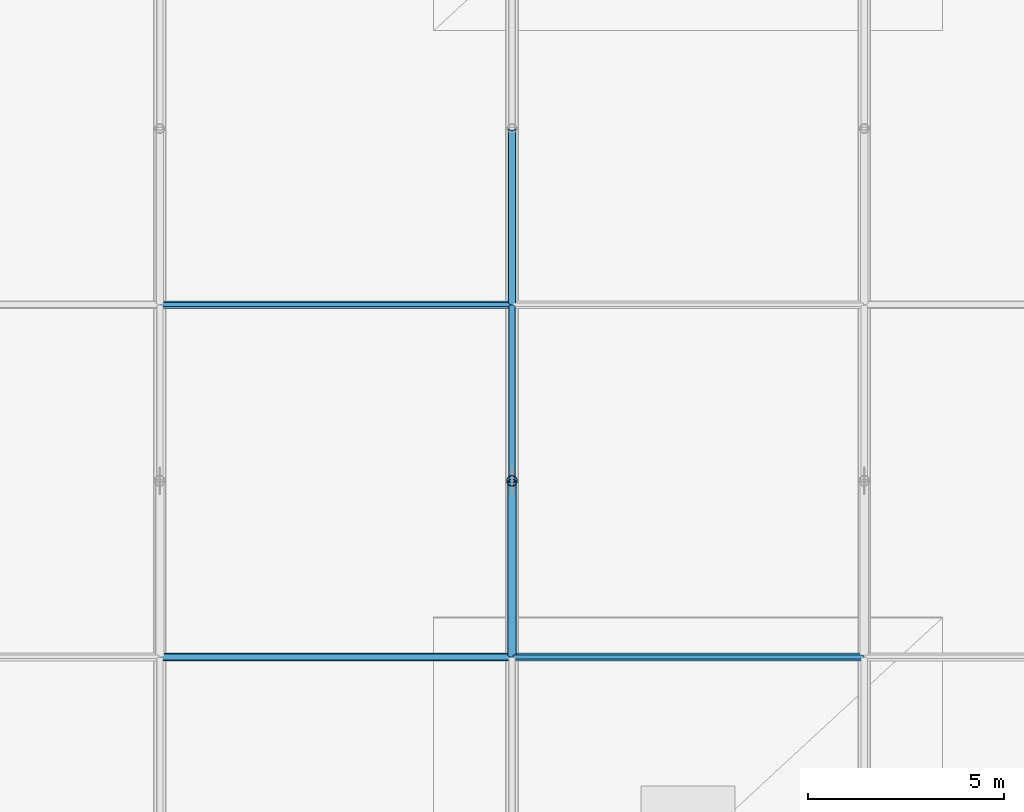
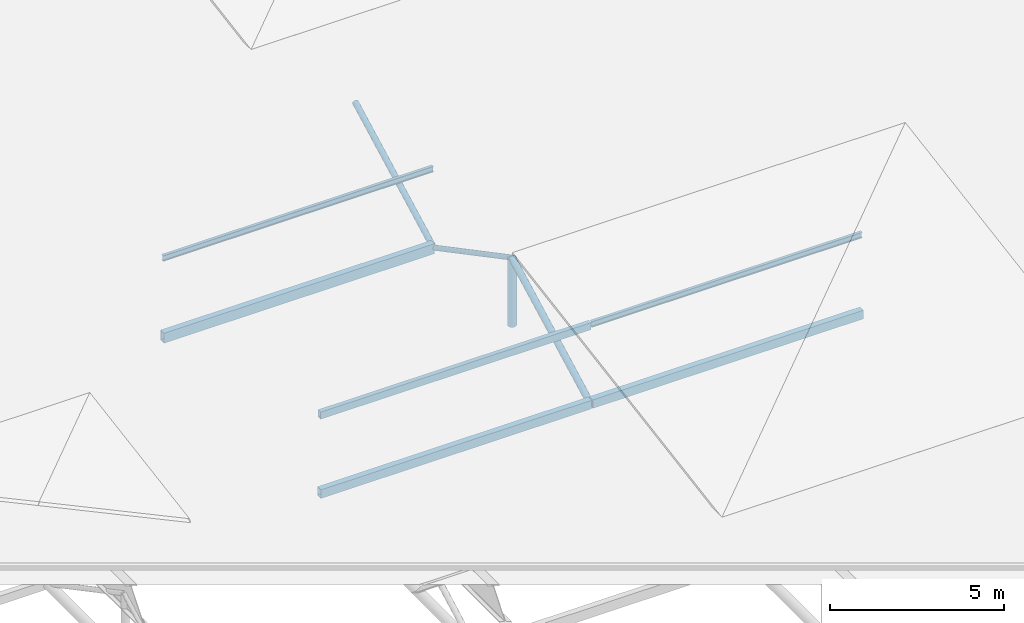
# One storey, part 74 of 196: 10 members.
"""IFC4 building model written with IfcOpenShell, lengths in metres."""

from ifc_helpers import new_model, si_unit, direction, frame, origin, origin_2d, place, context, subcontext, project, spatial, hollow_rectangle, hollow_circle, i_section, extrude, material, material_profile, profile_set, type_object, element, save


model = new_model("IFC4")

# Units and contexts
model_context = context("Model", 3, precision=1e-05, world=origin(), true_north=direction((0.0, 1.0)))
body_context = subcontext(model_context, "Body", "Model", "MODEL_VIEW")
ifc_project = project(units=[si_unit("LENGTHUNIT", "METRE"), si_unit("AREAUNIT", "SQUARE_METRE"), si_unit("VOLUMEUNIT", "CUBIC_METRE"), si_unit("PLANEANGLEUNIT", "RADIAN"), si_unit("MASSUNIT", "GRAM", prefix="KILO")], contexts=[model_context])

# Site, building, storey
site_placement = place(None, origin())
site = spatial("IfcSite", under=ifc_project, at=site_placement, CompositionType="ELEMENT")
building_placement = place(site_placement, origin())
building = spatial("IfcBuilding", under=site, at=building_placement, Name="Barlavento Convention Centre", CompositionType="ELEMENT")
storey_placement = place(building_placement, frame((0.0, 0.0, 18.0)))
storey = spatial("IfcBuildingStorey", under=building, at=storey_placement, Name="L03", CompositionType="ELEMENT", Elevation=18.0)

# Members
ifc_material = material(Name="Steel S355", Category="steel")
ifc_material_profile_1 = material_profile(ifc_material, hollow_rectangle(XDim=0.199951171875, YDim=0.300048828125, WallThickness=0.012451171875, at=origin_2d()), Name="RHS 300x200x12.5")
ifc_profile_set_1 = profile_set([ifc_material_profile_1], Name="Steel S355")
member_type_1 = type_object("IfcMemberType", Name="STR-MEM-COL-RHS300", PredefinedType="COLLAR", material=ifc_profile_set_1)
for number, where, z_axis, x_axis, name in (
    (1, (63.02001953125, 81.0, -3.199951171875), (1.0, 0.0, 0.0), (0.0, 1.0, 0.0), "Exhibition space frame transverse chord"),
    (2, (72.02001953125, 81.0, -3.199951171875), (1.0, 0.0, 0.0), (0.0, 1.0, 0.0), "Exhibition space frame transverse chord"),
):
    element("IfcMember", number, at=place(storey_placement, frame(where, z_axis=z_axis, x_axis=x_axis)), inside=storey, type_object=member_type_1, Name=name, PredefinedType="COLLAR", context=body_context, shape_type="SweptSolid", body=[
        extrude(hollow_rectangle(XDim=0.199951171875, YDim=0.300048828125, WallThickness=0.012451171875, at=origin_2d()), origin(), (0.0, 0.0, 1.0), 8.9599609375),
    ])
ifc_material_profile_2 = material_profile(ifc_material, hollow_rectangle(XDim=0.199951171875, YDim=0.35009765625, WallThickness=0.012451171875, at=origin_2d()), Name="RHS 350x200x12.5")
ifc_profile_set_2 = profile_set([ifc_material_profile_2], Name="Steel S355")
member_type_2 = type_object("IfcMemberType", Name="STR-MEM-COL-RHS350", PredefinedType="COLLAR", material=ifc_profile_set_2)
member_1_placement = place(storey_placement, frame((63.02001953125, 90.0, -3.199951171875), z_axis=(1.0, 0.0, 0.0), x_axis=(0.0, 1.0, 0.0)))
element("IfcMember", 3, at=member_1_placement, inside=storey, type_object=member_type_2, Name="Exhibition space frame transverse chord", PredefinedType="COLLAR", context=body_context, shape_type="SweptSolid", body=[
    extrude(hollow_rectangle(XDim=0.199951171875, YDim=0.35009765625, WallThickness=0.012451171875, at=origin_2d()), origin(), (0.0, 0.0, 1.0), 8.9599609375),
])
ifc_material_profile_3 = material_profile(ifc_material, hollow_circle(Radius=0.084228515625, WallThickness=0.010009765625, at=origin_2d()), Name="CHS 168.3x10.0")
ifc_profile_set_3 = profile_set([ifc_material_profile_3], Name="Steel S355")
member_type_3 = type_object("IfcMemberType", Name="STR-MEM-DIAG-CHS168", PredefinedType="POST", material=ifc_profile_set_3)
member_2_placement = place(storey_placement, frame((72.0, 85.5, -0.84912109375), z_axis=(0.0, 0.884200566707, -0.467107437144), x_axis=(-1.0, 0.0, 0.0)))
element("IfcMember", 4, at=member_2_placement, inside=storey, type_object=member_type_3, Name="Exhibition space frame web diagonal", PredefinedType="POST", context=body_context, shape_type="SweptSolid", body=[
    extrude(hollow_circle(Radius=0.084228515625, WallThickness=0.010009765625, at=origin_2d()), origin(), (0.0, 0.0, 1.0), 5.03271484375),
])
ifc_material_profile_4 = material_profile(ifc_material, hollow_circle(Radius=0.096923828125, WallThickness=0.010009765625, at=origin_2d()), Name="CHS 193.7x10.0")
ifc_profile_set_4 = profile_set([ifc_material_profile_4], Name="Steel S355")
member_type_4 = type_object("IfcMemberType", Name="STR-MEM-DIAG-CHS193", PredefinedType="RAFTER", material=ifc_profile_set_4)
member_3_placement = place(storey_placement, frame((72.0, 90.050048828125, -3.199951171875), z_axis=(0.0, 0.884200566707, 0.467107437144), x_axis=(-1.0, 0.0, 0.0)))
element("IfcMember", 5, at=member_3_placement, inside=storey, type_object=member_type_4, Name="Exhibition space frame web diagonal", PredefinedType="RAFTER", context=body_context, shape_type="SweptSolid", body=[
    extrude(hollow_circle(Radius=0.096923828125, WallThickness=0.010009765625, at=origin_2d()), origin(), (0.0, 0.0, 1.0), 5.03271484375),
])
ifc_material_profile_5 = material_profile(ifc_material, hollow_circle(Radius=0.109619140625, WallThickness=0.012451171875, at=origin_2d()), Name="CHS 219.1x12.5")
ifc_profile_set_5 = profile_set([ifc_material_profile_5], Name="Steel S355")
member_type_5 = type_object("IfcMemberType", Name="STR-MEM-DIAG-CHS219", PredefinedType="RAFTER", material=ifc_profile_set_5)
member_4_placement = place(storey_placement, frame((72.0, 81.050048828125, -3.199951171875), z_axis=(0.0, 0.884200566707, 0.467107437144), x_axis=(-1.0, 0.0, 0.0)))
element("IfcMember", 6, at=member_4_placement, inside=storey, type_object=member_type_5, Name="Exhibition space frame web diagonal", PredefinedType="RAFTER", context=body_context, shape_type="SweptSolid", body=[
    extrude(hollow_circle(Radius=0.109619140625, WallThickness=0.012451171875, at=origin_2d()), origin(), (0.0, 0.0, 1.0), 5.03271484375),
])
ifc_material_profile_6 = material_profile(ifc_material, i_section(OverallWidth=0.10009765625, OverallDepth=0.199951171875, WebThickness=0.005615234375, FlangeThickness=0.008544921875, FilletRadius=0.011962890625, at=origin_2d()), Name="IPE 200")
ifc_profile_set_6 = profile_set([ifc_material_profile_6], Name="Steel S355")
member_type_6 = type_object("IfcMemberType", Name="STR-MEM-PUR-IPE200", PredefinedType="PURLIN", material=ifc_profile_set_6)
for number, where, z_axis, x_axis, name in (
    (7, (72.02001953125, 81.0, -0.445068359375), (1.0, 0.0, 0.0), (0.0, 1.0, 0.0), "Exhibition roof purlin"),
    (8, (63.02001953125, 90.0, -0.445068359375), (1.0, 0.0, 0.0), (0.0, 1.0, 0.0), "Exhibition roof purlin"),
):
    element("IfcMember", number, at=place(storey_placement, frame(where, z_axis=z_axis, x_axis=x_axis)), inside=storey, type_object=member_type_6, Name=name, PredefinedType="PURLIN", context=body_context, shape_type="SweptSolid", body=[
        extrude(i_section(OverallWidth=0.10009765625, OverallDepth=0.199951171875, WebThickness=0.005615234375, FlangeThickness=0.008544921875, FilletRadius=0.011962890625, at=origin_2d()), origin(), (0.0, 0.0, 1.0), 8.9599609375),
    ])
ifc_material_profile_7 = material_profile(ifc_material, hollow_rectangle(XDim=0.14990234375, YDim=0.25, WallThickness=0.010009765625, at=origin_2d()), Name="RHS 250x150x10.0")
ifc_profile_set_7 = profile_set([ifc_material_profile_7], Name="Steel S355")
member_type_7 = type_object("IfcMemberType", Name="STR-MEM-PUR-RHS250", PredefinedType="PURLIN", material=ifc_profile_set_7)
member_5_placement = place(storey_placement, frame((63.02001953125, 81.0, -0.469970703125), z_axis=(1.0, 0.0, 0.0), x_axis=(0.0, 1.0, 0.0)))
element("IfcMember", 9, at=member_5_placement, inside=storey, type_object=member_type_7, Name="Exhibition roof purlin", PredefinedType="PURLIN", context=body_context, shape_type="SweptSolid", body=[
    extrude(hollow_rectangle(XDim=0.14990234375, YDim=0.25, WallThickness=0.010009765625, at=origin_2d()), origin(), (0.0, 0.0, 1.0), 8.9599609375),
])
ifc_material_profile_8 = material_profile(ifc_material, hollow_circle(Radius=0.136474609375, WallThickness=0.012451171875, at=origin_2d()), Name="CHS 273.0x12.5")
ifc_profile_set_8 = profile_set([ifc_material_profile_8], Name="Steel S355")
member_type_8 = type_object("IfcMemberType", Name="STR-MEM-STRUT-CHS273", PredefinedType="STRUT", material=ifc_profile_set_8)
member_6_placement = place(storey_placement, frame((72.0, 85.5, -3.199951171875), z_axis=(0.0, 0.0, 1.0), x_axis=(1.0, 0.0, 0.0)))
element("IfcMember", 10, at=member_6_placement, inside=storey, type_object=member_type_8, Name="Exhibition space frame vertical strut", PredefinedType="STRUT", context=body_context, shape_type="SweptSolid", body=[
    extrude(hollow_circle(Radius=0.136474609375, WallThickness=0.012451171875, at=origin_2d()), origin(), (0.0, 0.0, 1.0), 2.350830078125),
])

save(model, "model.ifc")
